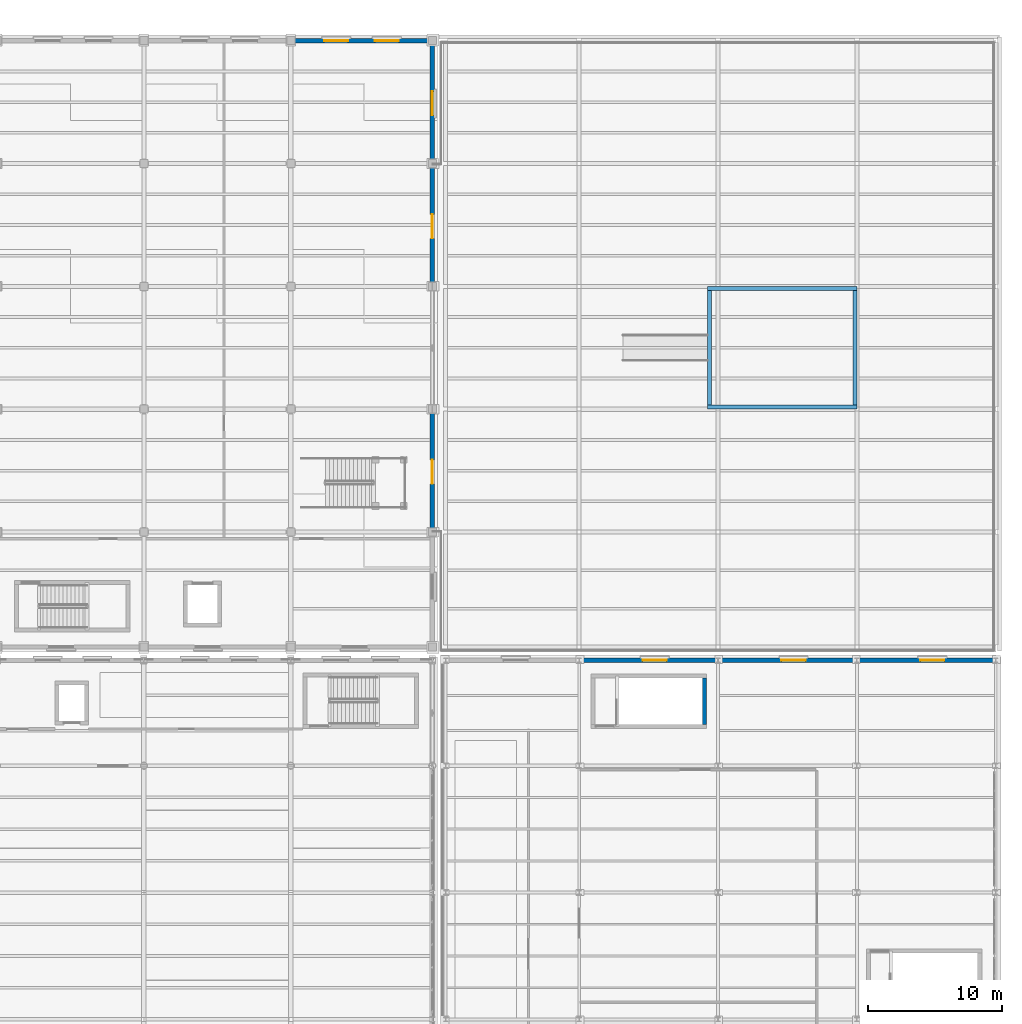
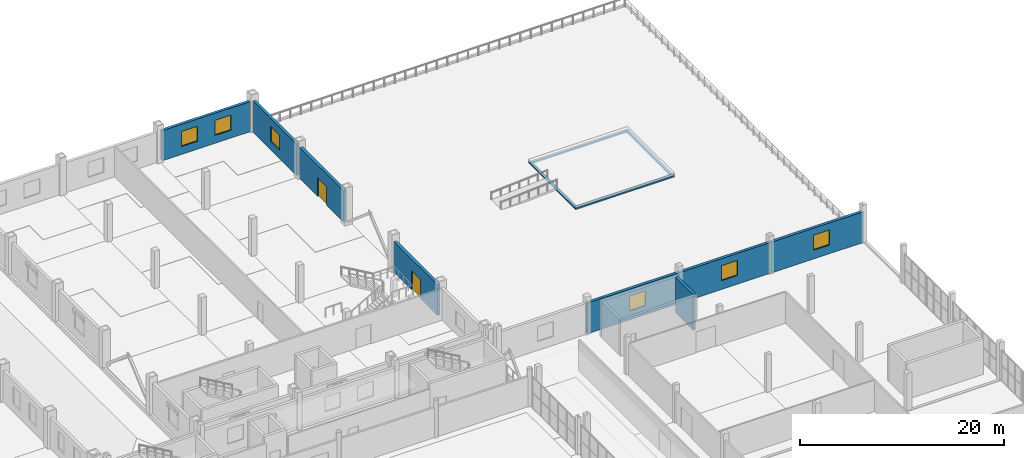
# One storey, part 129 of 156: 12 walls, 6 windows, 2 doors, 8 openings.
"""IFC4 building model written with IfcOpenShell, lengths in metres."""

from ifc_helpers import new_model, si_unit, direction, frame, frame_2d, origin, place, context, subcontext, project, spatial, rectangle, extrude, material, layer, layer_set, type_object, element, fill, save


model = new_model("IFC4")

# Units and contexts
model_context = context("Model", 3, precision=1e-05, world=origin(), true_north=direction((0.0, 1.0)))
body_context = subcontext(model_context, "Body", "Model", "MODEL_VIEW")
ifc_project = project(units=[si_unit("LENGTHUNIT", "METRE"), si_unit("AREAUNIT", "SQUARE_METRE"), si_unit("VOLUMEUNIT", "CUBIC_METRE"), si_unit("PLANEANGLEUNIT", "RADIAN"), si_unit("MASSUNIT", "GRAM", prefix="KILO")], contexts=[model_context])

# Site, building, storey
site_placement = place(None, origin())
site = spatial("IfcSite", under=ifc_project, at=site_placement, CompositionType="ELEMENT")
building_placement = place(site_placement, origin())
building = spatial("IfcBuilding", under=site, at=building_placement, Name="Caurita Quay Ferry Terminal", CompositionType="ELEMENT")
storey_placement = place(building_placement, frame((0.0, 0.0, 5.39990234375)))
storey = spatial("IfcBuildingStorey", under=building, at=storey_placement, Name="L01", CompositionType="ELEMENT", Elevation=5.39990234375)

# Walls
ifc_material_1 = material(Name="Reinforced concrete C35/45", Category="concrete")
ifc_layer_1 = layer(ifc_material_1, 0.300048828125, Name="Interior shear wall 300 mm")
ifc_layer_set_1 = layer_set([ifc_layer_1], Name="Reinforced concrete C35/45")
wall_type_1 = type_object("IfcWallType", Name="WL-CORE-300", PredefinedType="SHEAR", material=ifc_layer_set_1)
wall_1_placement = place(storey_placement, frame((152.199951171875, 65.800048828125, 0.0), z_axis=(0.0, 0.0, 1.0), x_axis=(0.0, 1.0, 0.0)))
element("IfcWall", 1, at=wall_1_placement, inside=storey, type_object=wall_type_1, Name="L01 ST-10 Core Wall East", PredefinedType="SHEAR", context=body_context, shape_type="SweptSolid", body=[
    extrude(rectangle(XDim=3.4599609375, YDim=0.300048828125, at=frame_2d((1.72998046875, 0.0))), origin(), (0.0, 0.0, 1.0), 4.2900390625),
])
ifc_layer_2 = layer(ifc_material_1, 0.300048828125, Name="Reinforced concrete deck perimeter support curb wall 300 mm")
ifc_layer_set_2 = layer_set([ifc_layer_2], Name="Reinforced concrete C35/45")
wall_type_2 = type_object("IfcWallType", Name="WL-CURB-300", PredefinedType="STANDARD", material=ifc_layer_set_2)
for number, where, z_axis, x_axis, name in (
    (2, (152.39990234375, 89.550048828125, 0.0), (0.0, 0.0, 1.0), (1.0, 0.0, 0.0), "L01 Belvedere Plinth Curb Wall S"),
    (3, (163.60009765625, 98.449951171875, 0.0), (0.0, 0.0, 1.0), (-1.0, 0.0, 0.0), "L01 Belvedere Plinth Curb Wall N"),
):
    element("IfcWall", number, at=place(storey_placement, frame(where, z_axis=z_axis, x_axis=x_axis)), inside=storey, type_object=wall_type_2, Name=name, PredefinedType="STANDARD", context=body_context, shape_type="SweptSolid", body=[
        extrude(rectangle(XDim=11.2001953125, YDim=0.300048828125, at=frame_2d((5.60009765625, 0.0))), origin(), (0.0, 0.0, 1.0), 0.190185546875),
    ])
for number, where, z_axis, x_axis, name in (
    (4, (152.550048828125, 98.300048828125, 0.0), (0.0, 0.0, 1.0), (0.0, -1.0, 0.0), "L01 Belvedere Plinth Curb Wall W"),
    (5, (163.449951171875, 89.699951171875, 0.0), (0.0, 0.0, 1.0), (0.0, 1.0, 0.0), "L01 Belvedere Plinth Curb Wall E"),
):
    element("IfcWall", number, at=place(storey_placement, frame(where, z_axis=z_axis, x_axis=x_axis)), inside=storey, type_object=wall_type_2, Name=name, PredefinedType="STANDARD", context=body_context, shape_type="SweptSolid", body=[
        extrude(rectangle(XDim=8.60009765625, YDim=0.300048828125, at=frame_2d((4.300048828125, 0.0))), origin(), (0.0, 0.0, 1.0), 0.190185546875),
    ])

# Wall, opening, window
ifc_material_2 = material(Name="Warm-white lime stucco masonry", Category="masonry")
ifc_layer_3 = layer(ifc_material_2, 0.31005859375, Name="Exterior solidwall wall 310 mm")
ifc_layer_set_3 = layer_set([ifc_layer_3], Name="Warm-white lime stucco masonry")
wall_type_3 = type_object("IfcWallType", Name="WL-EXT-310", PredefinedType="SOLIDWALL", material=ifc_layer_set_3)
wall_2_placement = place(storey_placement, frame((153.197021484375, 70.60009765625, 0.0), z_axis=(0.0, 0.0, 1.0), x_axis=(-1.0, 0.0, 0.0)))
wall_2 = element("IfcWall", 6, at=wall_2_placement, inside=storey, type_object=wall_type_3, Name="L01 Exterior Wall EW-L01-210", PredefinedType="SOLIDWALL", context=body_context, shape_type="SweptSolid", body=[
    extrude(rectangle(XDim=10.39404296875, YDim=0.31005859375, at=frame_2d((5.197021484375, 0.0))), origin(), (0.0, 0.0, 1.0), 3.68310546875),
])
opening_1_placement = place(wall_2_placement, frame((3.846923828125, 0.0, 1.050048828125)))
opening_1 = element("IfcOpeningElement", 7, at=opening_1_placement, cuts=wall_2, Name="Opening W-09", PredefinedType="OPENING", context=body_context, shape_type="SweptSolid", body=[
    extrude(rectangle(XDim=1.800048828125, YDim=1.800048828125, at=frame_2d((0.89990234375, 0.89990234375))), frame((0.0, 0.1650390625, 0.0), z_axis=(0.0, -1.0, 0.0), x_axis=(1.0, 0.0, 0.0)), (0.0, 0.0, 1.0), 0.330078125),
])
ifc_material_3 = material(Name="Laminated solar-control insulated glass", Category="glass")
window_type = type_object("IfcWindowType", Name="WIN-SC-1818", PartitioningType="SINGLE_PANEL", PredefinedType="WINDOW", material=ifc_material_3)
window_1_placement = place(opening_1_placement, origin())
window_1 = element("IfcWindow", 8, at=window_1_placement, inside=storey, type_object=window_type, Name="L01 Casement Window WN-L01-316", OverallHeight=1.800048828125, OverallWidth=1.800048828125, PartitioningType="SINGLE_PANEL", PredefinedType="WINDOW", context=body_context, shape_type="SweptSolid", body=[
    extrude(rectangle(XDim=1.800048828125, YDim=1.800048828125, at=frame_2d((0.89990234375, 0.89990234375))), frame((0.0, 0.030029296875, 0.0), z_axis=(0.0, -1.0, 0.0), x_axis=(1.0, 0.0, 0.0)), (0.0, 0.0, 1.0), 0.06005859375),
])
fill(opening_1, window_1)

wall_3_placement = place(storey_placement, frame((163.596923828125, 70.60009765625, 0.0), z_axis=(0.0, 0.0, 1.0), x_axis=(-1.0, 0.0, 0.0)))
wall_3 = element("IfcWall", 9, at=wall_3_placement, inside=storey, type_object=wall_type_3, Name="L01 Exterior Wall EW-L01-213", PredefinedType="SOLIDWALL", context=body_context, shape_type="SweptSolid", body=[
    extrude(rectangle(XDim=10.39404296875, YDim=0.31005859375, at=frame_2d((5.197021484375, 0.0))), origin(), (0.0, 0.0, 1.0), 3.68310546875),
])
opening_2_placement = place(wall_3_placement, frame((3.846923828125, 0.0, 1.050048828125)))
opening_2 = element("IfcOpeningElement", 10, at=opening_2_placement, cuts=wall_3, Name="Opening W-09", PredefinedType="OPENING", context=body_context, shape_type="SweptSolid", body=[
    extrude(rectangle(XDim=1.800048828125, YDim=1.800048828125, at=frame_2d((0.89990234375, 0.89990234375))), frame((0.0, 0.1650390625, 0.0), z_axis=(0.0, -1.0, 0.0), x_axis=(1.0, 0.0, 0.0)), (0.0, 0.0, 1.0), 0.330078125),
])
window_2_placement = place(opening_2_placement, origin())
window_2 = element("IfcWindow", 11, at=window_2_placement, inside=storey, type_object=window_type, Name="L01 Casement Window WN-L01-319", OverallHeight=1.800048828125, OverallWidth=1.800048828125, PartitioningType="SINGLE_PANEL", PredefinedType="WINDOW", context=body_context, shape_type="SweptSolid", body=[
    extrude(rectangle(XDim=1.800048828125, YDim=1.800048828125, at=frame_2d((0.89990234375, 0.89990234375))), frame((0.0, 0.030029296875, 0.0), z_axis=(0.0, -1.0, 0.0), x_axis=(1.0, 0.0, 0.0)), (0.0, 0.0, 1.0), 0.06005859375),
])
fill(opening_2, window_2)

wall_4_placement = place(storey_placement, frame((173.9970703125, 70.60009765625, 0.0), z_axis=(0.0, 0.0, 1.0), x_axis=(-1.0, 0.0, 0.0)))
wall_4 = element("IfcWall", 12, at=wall_4_placement, inside=storey, type_object=wall_type_3, Name="L01 Exterior Wall EW-L01-216", PredefinedType="SOLIDWALL", context=body_context, shape_type="SweptSolid", body=[
    extrude(rectangle(XDim=10.394287109375, YDim=0.31005859375, at=frame_2d((5.197265625, 0.0))), origin(), (0.0, 0.0, 1.0), 3.68310546875),
])
opening_3_placement = place(wall_4_placement, frame((3.846923828125, 0.0, 1.050048828125)))
opening_3 = element("IfcOpeningElement", 13, at=opening_3_placement, cuts=wall_4, Name="Opening W-09", PredefinedType="OPENING", context=body_context, shape_type="SweptSolid", body=[
    extrude(rectangle(XDim=1.800048828125, YDim=1.800048828125, at=frame_2d((0.89990234375, 0.89990234375))), frame((0.0, 0.1650390625, 0.0), z_axis=(0.0, -1.0, 0.0), x_axis=(1.0, 0.0, 0.0)), (0.0, 0.0, 1.0), 0.330078125),
])
window_3_placement = place(opening_3_placement, origin())
window_3 = element("IfcWindow", 14, at=window_3_placement, inside=storey, type_object=window_type, Name="L01 Casement Window WN-L01-321", OverallHeight=1.800048828125, OverallWidth=1.800048828125, PartitioningType="SINGLE_PANEL", PredefinedType="WINDOW", context=body_context, shape_type="SweptSolid", body=[
    extrude(rectangle(XDim=1.800048828125, YDim=1.800048828125, at=frame_2d((0.89990234375, 0.89990234375))), frame((0.0, 0.030029296875, 0.0), z_axis=(0.0, -1.0, 0.0), x_axis=(1.0, 0.0, 0.0)), (0.0, 0.0, 1.0), 0.06005859375),
])
fill(opening_3, window_3)

# Wall, openings, windows
wall_5_placement = place(storey_placement, frame((131.501953125, 117.0, 0.0), z_axis=(0.0, 0.0, 1.0), x_axis=(-1.0, 0.0, 0.0)))
wall_5 = element("IfcWall", 15, at=wall_5_placement, inside=storey, type_object=wall_type_3, Name="L01 Exterior Wall EW-L01-225", PredefinedType="SOLIDWALL", context=body_context, shape_type="SweptSolid", body=[
    extrude(rectangle(XDim=10.00390625, YDim=0.31005859375, at=frame_2d((5.001953125, 0.0))), origin(), (0.0, 0.0, 1.0), 3.60205078125),
])
opening_4_placement = place(wall_5_placement, frame((2.201904296875, 0.0, 0.949951171875)))
opening_4 = element("IfcOpeningElement", 16, at=opening_4_placement, cuts=wall_5, Name="Opening W-09", PredefinedType="OPENING", context=body_context, shape_type="SweptSolid", body=[
    extrude(rectangle(XDim=1.800048828125, YDim=1.800048828125, at=frame_2d((0.89990234375, 0.89990234375))), frame((0.0, 0.1650390625, 0.0), z_axis=(0.0, -1.0, 0.0), x_axis=(1.0, 0.0, 0.0)), (0.0, 0.0, 1.0), 0.330078125),
])
opening_5_placement = place(wall_5_placement, frame((6.001953125, 0.0, 0.949951171875)))
opening_5 = element("IfcOpeningElement", 17, at=opening_5_placement, cuts=wall_5, Name="Opening W-09", PredefinedType="OPENING", context=body_context, shape_type="SweptSolid", body=[
    extrude(rectangle(XDim=1.800048828125, YDim=1.800048828125, at=frame_2d((0.89990234375, 0.89990234375))), frame((0.0, 0.1650390625, 0.0), z_axis=(0.0, -1.0, 0.0), x_axis=(1.0, 0.0, 0.0)), (0.0, 0.0, 1.0), 0.330078125),
])
window_4_placement = place(opening_4_placement, origin())
window_4 = element("IfcWindow", 18, at=window_4_placement, inside=storey, type_object=window_type, Name="L01 Casement Window WN-L01-327", OverallHeight=1.800048828125, OverallWidth=1.800048828125, PartitioningType="SINGLE_PANEL", PredefinedType="WINDOW", context=body_context, shape_type="SweptSolid", body=[
    extrude(rectangle(XDim=1.800048828125, YDim=1.800048828125, at=frame_2d((0.89990234375, 0.89990234375))), frame((0.0, 0.030029296875, 0.0), z_axis=(0.0, -1.0, 0.0), x_axis=(1.0, 0.0, 0.0)), (0.0, 0.0, 1.0), 0.06005859375),
])
fill(opening_4, window_4)
window_5_placement = place(opening_5_placement, origin())
window_5 = element("IfcWindow", 19, at=window_5_placement, inside=storey, type_object=window_type, Name="L01 Casement Window WN-L01-328", OverallHeight=1.800048828125, OverallWidth=1.800048828125, PartitioningType="SINGLE_PANEL", PredefinedType="WINDOW", context=body_context, shape_type="SweptSolid", body=[
    extrude(rectangle(XDim=1.800048828125, YDim=1.800048828125, at=frame_2d((0.89990234375, 0.89990234375))), frame((0.0, 0.030029296875, 0.0), z_axis=(0.0, -1.0, 0.0), x_axis=(1.0, 0.0, 0.0)), (0.0, 0.0, 1.0), 0.06005859375),
])
fill(opening_5, window_5)

# Wall, opening, door
wall_6_placement = place(storey_placement, frame((131.800048828125, 80.498046875, 0.0), z_axis=(0.0, 0.0, 1.0), x_axis=(0.0, 1.0, 0.0)))
wall_6 = element("IfcWall", 20, at=wall_6_placement, inside=storey, type_object=wall_type_3, Name="L01 Exterior Wall EW-L01-243", PredefinedType="SOLIDWALL", context=body_context, shape_type="SweptSolid", body=[
    extrude(rectangle(XDim=8.60400390625, YDim=0.31005859375, at=frame_2d((4.302001953125, 0.0))), origin(), (0.0, 0.0, 1.0), 3.6728515625),
])
opening_6_placement = place(wall_6_placement, frame((3.302001953125, 0.0, 0.0)))
opening_6 = element("IfcOpeningElement", 21, at=opening_6_placement, cuts=wall_6, Name="Opening TD-03", PredefinedType="OPENING", context=body_context, shape_type="SweptSolid", body=[
    extrude(rectangle(XDim=1.800048828125, YDim=2.25, at=frame_2d((0.89990234375, 1.125))), frame((0.0, 0.1650390625, 0.0), z_axis=(0.0, -1.0, 0.0), x_axis=(1.0, 0.0, 0.0)), (0.0, 0.0, 1.0), 0.330078125),
])
ifc_material_4 = material(Name="Anodized aluminium 6063-T6", Category="aluminium")
door_type = type_object("IfcDoorType", Name="DR-TER-1822", OperationType="NOTDEFINED", PredefinedType="DOOR", material=ifc_material_4)
door_1_placement = place(opening_6_placement, frame((1.800048828125, 0.0, 0.0), z_axis=(0.0, 0.0, 1.0), x_axis=(-1.0, 0.0, 0.0)))
door_1 = element("IfcDoor", 22, at=door_1_placement, inside=storey, type_object=door_type, Name="Lower Roof Garden Promenade Door TD-RG1-1", OperationType="SINGLE_SWING_LEFT", OverallHeight=2.25, OverallWidth=1.800048828125, PredefinedType="DOOR", context=body_context, shape_type="SweptSolid", body=[
    extrude(rectangle(XDim=1.800048828125, YDim=2.25, at=frame_2d((0.89990234375, 1.125))), frame((0.0, 0.02490234375, 0.0), z_axis=(0.0, -1.0, 0.0), x_axis=(1.0, 0.0, 0.0)), (0.0, 0.0, 1.0), 0.050048828125),
])
fill(opening_6, door_1)

wall_7_placement = place(storey_placement, frame((131.800048828125, 98.89794921875, 0.0), z_axis=(0.0, 0.0, 1.0), x_axis=(0.0, 1.0, 0.0)))
wall_7 = element("IfcWall", 23, at=wall_7_placement, inside=storey, type_object=wall_type_3, Name="L01 Exterior Wall EW-L01-244", PredefinedType="SOLIDWALL", context=body_context, shape_type="SweptSolid", body=[
    extrude(rectangle(XDim=8.60400390625, YDim=0.31005859375, at=frame_2d((4.302001953125, 0.0))), origin(), (0.0, 0.0, 1.0), 3.7490234375),
])
opening_7_placement = place(wall_7_placement, frame((3.302001953125, 0.0, 0.0)))
opening_7 = element("IfcOpeningElement", 24, at=opening_7_placement, cuts=wall_7, Name="Opening TD-03", PredefinedType="OPENING", context=body_context, shape_type="SweptSolid", body=[
    extrude(rectangle(XDim=1.800048828125, YDim=2.25, at=frame_2d((0.89990234375, 1.125))), frame((0.0, 0.1650390625, 0.0), z_axis=(0.0, -1.0, 0.0), x_axis=(1.0, 0.0, 0.0)), (0.0, 0.0, 1.0), 0.330078125),
])
door_2_placement = place(opening_7_placement, frame((1.800048828125, 0.0, 0.0), z_axis=(0.0, 0.0, 1.0), x_axis=(-1.0, 0.0, 0.0)))
door_2 = element("IfcDoor", 25, at=door_2_placement, inside=storey, type_object=door_type, Name="Lower Roof Garden Promenade Door TD-RG1-3", OperationType="SINGLE_SWING_RIGHT", OverallHeight=2.25, OverallWidth=1.800048828125, PredefinedType="DOOR", context=body_context, shape_type="SweptSolid", body=[
    extrude(rectangle(XDim=1.800048828125, YDim=2.25, at=frame_2d((0.89990234375, 1.125))), frame((0.0, 0.02490234375, 0.0), z_axis=(0.0, -1.0, 0.0), x_axis=(1.0, 0.0, 0.0)), (0.0, 0.0, 1.0), 0.050048828125),
])
fill(opening_7, door_2)

# Wall, opening, window
wall_8_placement = place(storey_placement, frame((131.800048828125, 108.097900390625, 0.0), z_axis=(0.0, 0.0, 1.0), x_axis=(0.0, 1.0, 0.0)))
wall_8 = element("IfcWall", 26, at=wall_8_placement, inside=storey, type_object=wall_type_3, Name="L01 Exterior Wall EW-L01-245", PredefinedType="SOLIDWALL", context=body_context, shape_type="SweptSolid", body=[
    extrude(rectangle(XDim=8.60400390625, YDim=0.31005859375, at=frame_2d((4.302001953125, 0.0))), origin(), (0.0, 0.0, 1.0), 3.7490234375),
])
opening_8_placement = place(wall_8_placement, frame((3.302001953125, 0.0, 1.0)))
opening_8 = element("IfcOpeningElement", 27, at=opening_8_placement, cuts=wall_8, Name="Opening W-09", PredefinedType="OPENING", context=body_context, shape_type="SweptSolid", body=[
    extrude(rectangle(XDim=1.800048828125, YDim=1.800048828125, at=frame_2d((0.89990234375, 0.89990234375))), frame((0.0, 0.1650390625, 0.0), z_axis=(0.0, -1.0, 0.0), x_axis=(1.0, 0.0, 0.0)), (0.0, 0.0, 1.0), 0.330078125),
])
window_6_placement = place(opening_8_placement, origin())
window_6 = element("IfcWindow", 28, at=window_6_placement, inside=storey, type_object=window_type, Name="L01 Casement Window WN-L01-340", OverallHeight=1.800048828125, OverallWidth=1.800048828125, PartitioningType="SINGLE_PANEL", PredefinedType="WINDOW", context=body_context, shape_type="SweptSolid", body=[
    extrude(rectangle(XDim=1.800048828125, YDim=1.800048828125, at=frame_2d((0.89990234375, 0.89990234375))), frame((0.0, 0.030029296875, 0.0), z_axis=(0.0, -1.0, 0.0), x_axis=(1.0, 0.0, 0.0)), (0.0, 0.0, 1.0), 0.06005859375),
])
fill(opening_8, window_6)

save(model, "model.ifc")
